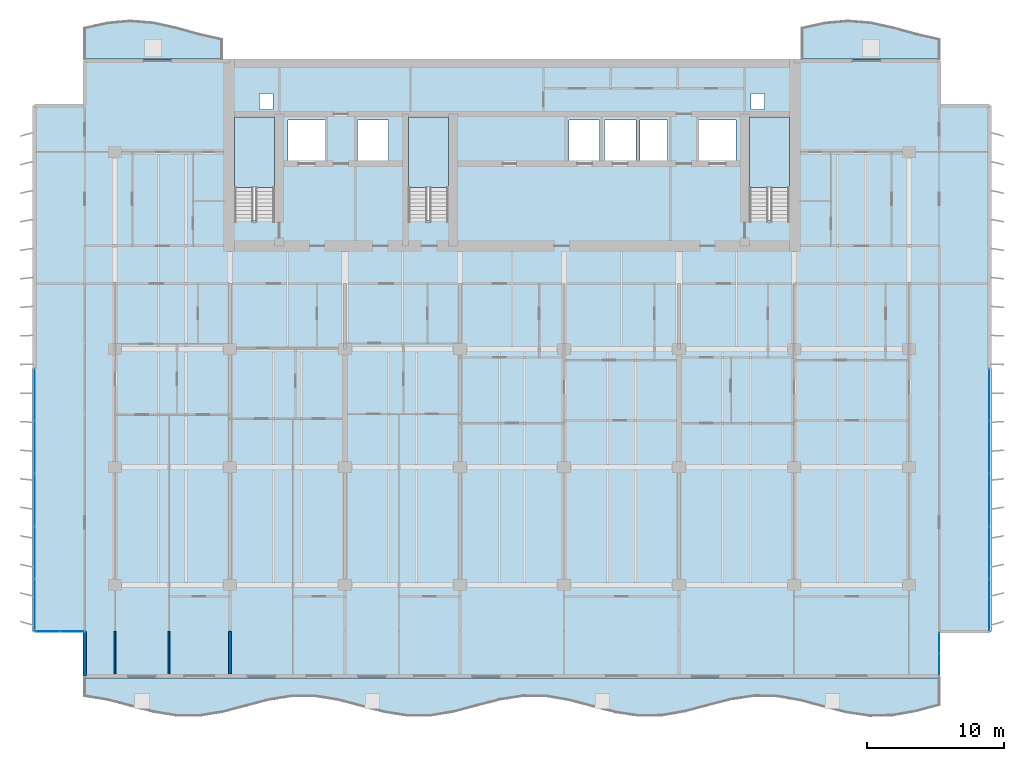
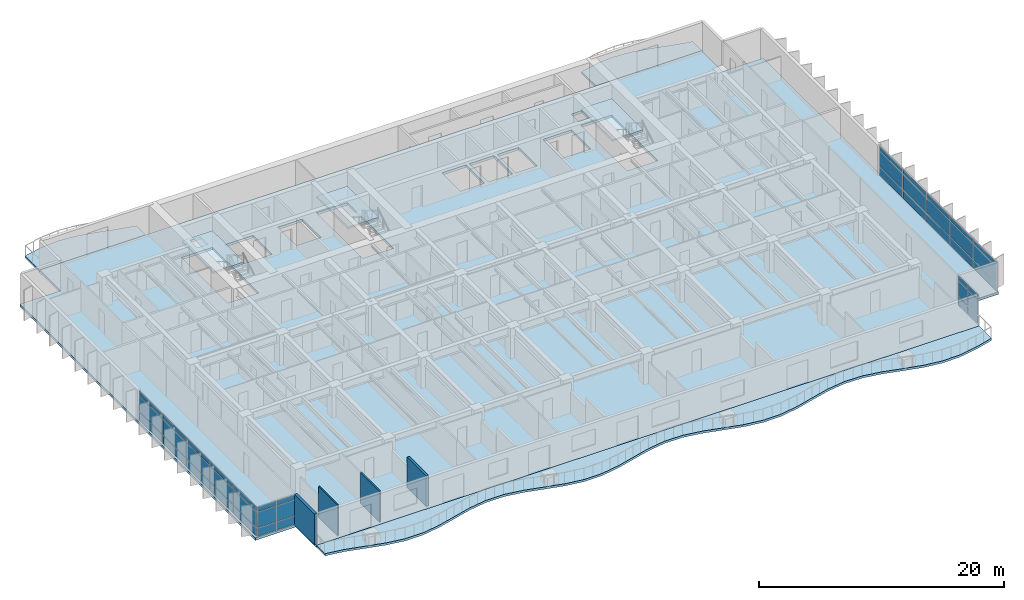
# One storey, part 5 of 16: 42 plates, 7 slabs, 4 walls, 7 elements without a shape of their own.
"""IFC4 building model written with IfcOpenShell, lengths in metres."""

from ifc_helpers import new_model, si_unit, direction, frame, frame_2d, origin, origin_2d, place, context, subcontext, project, spatial, polyline, rectangle, outline, extrude, material, layer, layer_set, type_object, element, aggregate, save


model = new_model("IFC4")

# Units and contexts
model_context = context("Model", 3, precision=1e-05, world=origin(), true_north=direction((0.0, 1.0)))
body_context = subcontext(model_context, "Body", "Model", "MODEL_VIEW")
ifc_project = project(units=[si_unit("LENGTHUNIT", "METRE"), si_unit("AREAUNIT", "SQUARE_METRE"), si_unit("VOLUMEUNIT", "CUBIC_METRE"), si_unit("PLANEANGLEUNIT", "RADIAN"), si_unit("MASSUNIT", "GRAM", prefix="KILO")], contexts=[model_context])

# Site, building, storey
site_placement = place(None, origin())
site = spatial("IfcSite", under=ifc_project, at=site_placement, CompositionType="ELEMENT")
building_placement = place(site_placement, origin())
building = spatial("IfcBuilding", under=site, at=building_placement, Name="Caelmar Bay Residences", CompositionType="ELEMENT")
storey_placement = place(building_placement, frame((0.0, 0.0, 142.199951171875)))
storey = spatial("IfcBuildingStorey", under=building, at=storey_placement, Name="L39", CompositionType="ELEMENT", Elevation=142.199951171875)

# Curtain wall, plates
ifc_material_1 = material(Name="Anodised bronze aluminium 6063-T6 and laminated glass", Category="aluminium")
ifc_layer_1 = layer(ifc_material_1, 0.179931640625)
ifc_layer_set_1 = layer_set([ifc_layer_1], Name="Anodised bronze aluminium 6063-T6 and laminated glass")
curtain_wall_type_1 = type_object("IfcCurtainWallType", Name="CW6-NTC", PredefinedType="NOTDEFINED", material=ifc_layer_set_1)
curtain_wall_1_placement = place(storey_placement, origin())
curtain_wall_1 = element("IfcCurtainWall", 1, at=curtain_wall_1_placement, inside=storey, type_object=curtain_wall_type_1, Name="CW6 curtain wall L39", PredefinedType="NOTDEFINED")
ifc_material_2 = material(Name="Bronze-tinted laminated low-E hurricane glass 28 mm", Category="glass")
ifc_layer_2 = layer(ifc_material_2, 0.028076171875)
ifc_layer_set_2 = layer_set([ifc_layer_2], Name="Bronze-tinted laminated low-E hurricane glass 28 mm")
plate_type = type_object("IfcPlateType", Name="CWP-GLZ28", PredefinedType="CURTAIN_PANEL", material=ifc_layer_set_2)
plate_1_placement = place(storey_placement, frame((4.982421875, 8.800048828125, 0.080078125), z_axis=(0.0, 0.0, 1.0), x_axis=(1.0, 0.0, 0.0)))
plate_1 = element("IfcPlate", 2, at=plate_1_placement, type_object=plate_type, Name="CW6 panel 1.1", PredefinedType="CURTAIN_PANEL", context=body_context, shape_type="SweptSolid", body=[
    extrude(rectangle(XDim=1.705078125, YDim=0.028076171875, at=origin_2d()), origin(), (0.0, 0.0, 1.0), 0.780029296875),
])
plate_2_placement = place(storey_placement, frame((4.982421875, 8.800048828125, 0.93994140625), z_axis=(0.0, 0.0, 1.0), x_axis=(1.0, 0.0, 0.0)))
plate_2 = element("IfcPlate", 3, at=plate_2_placement, type_object=plate_type, Name="CW6 panel 1.2", PredefinedType="CURTAIN_PANEL", context=body_context, shape_type="SweptSolid", body=[
    extrude(rectangle(XDim=1.705078125, YDim=0.028076171875, at=origin_2d()), origin(), (0.0, 0.0, 1.0), 1.52001953125),
])
plate_3_placement = place(storey_placement, frame((4.982421875, 8.800048828125, 2.5400390625), z_axis=(0.0, 0.0, 1.0), x_axis=(1.0, 0.0, 0.0)))
plate_3 = element("IfcPlate", 4, at=plate_3_placement, type_object=plate_type, Name="CW6 panel 1.3", PredefinedType="CURTAIN_PANEL", context=body_context, shape_type="SweptSolid", body=[
    extrude(rectangle(XDim=1.705078125, YDim=0.028076171875, at=origin_2d()), origin(), (0.0, 0.0, 1.0), 0.429931640625),
])
plate_4_placement = place(storey_placement, frame((6.767578125, 8.800048828125, 0.080078125), z_axis=(0.0, 0.0, 1.0), x_axis=(1.0, 0.0, 0.0)))
plate_4 = element("IfcPlate", 5, at=plate_4_placement, type_object=plate_type, Name="CW6 panel 2.1", PredefinedType="CURTAIN_PANEL", context=body_context, shape_type="SweptSolid", body=[
    extrude(rectangle(XDim=1.705078125, YDim=0.028076171875, at=origin_2d()), origin(), (0.0, 0.0, 1.0), 0.780029296875),
])
plate_5_placement = place(storey_placement, frame((6.767578125, 8.800048828125, 0.93994140625), z_axis=(0.0, 0.0, 1.0), x_axis=(1.0, 0.0, 0.0)))
plate_5 = element("IfcPlate", 6, at=plate_5_placement, type_object=plate_type, Name="CW6 panel 2.2", PredefinedType="CURTAIN_PANEL", context=body_context, shape_type="SweptSolid", body=[
    extrude(rectangle(XDim=1.705078125, YDim=0.028076171875, at=origin_2d()), origin(), (0.0, 0.0, 1.0), 1.52001953125),
])
plate_6_placement = place(storey_placement, frame((6.767578125, 8.800048828125, 2.5400390625), z_axis=(0.0, 0.0, 1.0), x_axis=(1.0, 0.0, 0.0)))
plate_6 = element("IfcPlate", 7, at=plate_6_placement, type_object=plate_type, Name="CW6 panel 2.3", PredefinedType="CURTAIN_PANEL", context=body_context, shape_type="SweptSolid", body=[
    extrude(rectangle(XDim=1.705078125, YDim=0.028076171875, at=origin_2d()), origin(), (0.0, 0.0, 1.0), 0.429931640625),
])
aggregate(curtain_wall_1, [plate_1, plate_2, plate_3, plate_4, plate_5, plate_6])

curtain_wall_2_placement = place(storey_placement, origin())
curtain_wall_2 = element("IfcCurtainWall", 8, at=curtain_wall_2_placement, inside=storey, type_object=curtain_wall_type_1, Name="CW6 curtain wall L39", PredefinedType="NOTDEFINED")
plate_7_placement = place(storey_placement, frame((70.10009765625, 6.382568359375, 0.080078125), z_axis=(0.0, 0.0, 1.0), x_axis=(0.0, 1.0, 0.0)))
plate_7 = element("IfcPlate", 9, at=plate_7_placement, type_object=plate_type, Name="CW6 panel 1.1", PredefinedType="CURTAIN_PANEL", context=body_context, shape_type="SweptSolid", body=[
    extrude(rectangle(XDim=1.5048828125, YDim=0.028076171875, at=origin_2d()), origin(), (0.0, 0.0, 1.0), 0.780029296875),
])
plate_8_placement = place(storey_placement, frame((70.10009765625, 6.382568359375, 0.93994140625), z_axis=(0.0, 0.0, 1.0), x_axis=(0.0, 1.0, 0.0)))
plate_8 = element("IfcPlate", 10, at=plate_8_placement, type_object=plate_type, Name="CW6 panel 1.2", PredefinedType="CURTAIN_PANEL", context=body_context, shape_type="SweptSolid", body=[
    extrude(rectangle(XDim=1.5048828125, YDim=0.028076171875, at=origin_2d()), origin(), (0.0, 0.0, 1.0), 1.52001953125),
])
plate_9_placement = place(storey_placement, frame((70.10009765625, 6.382568359375, 2.5400390625), z_axis=(0.0, 0.0, 1.0), x_axis=(0.0, 1.0, 0.0)))
plate_9 = element("IfcPlate", 11, at=plate_9_placement, type_object=plate_type, Name="CW6 panel 1.3", PredefinedType="CURTAIN_PANEL", context=body_context, shape_type="SweptSolid", body=[
    extrude(rectangle(XDim=1.5048828125, YDim=0.028076171875, at=origin_2d()), origin(), (0.0, 0.0, 1.0), 0.429931640625),
])
plate_10_placement = place(storey_placement, frame((70.10009765625, 7.967529296875, 0.080078125), z_axis=(0.0, 0.0, 1.0), x_axis=(0.0, 1.0, 0.0)))
plate_10 = element("IfcPlate", 12, at=plate_10_placement, type_object=plate_type, Name="CW6 panel 2.1", PredefinedType="CURTAIN_PANEL", context=body_context, shape_type="SweptSolid", body=[
    extrude(rectangle(XDim=1.5048828125, YDim=0.028076171875, at=origin_2d()), origin(), (0.0, 0.0, 1.0), 0.780029296875),
])
plate_11_placement = place(storey_placement, frame((70.10009765625, 7.967529296875, 0.93994140625), z_axis=(0.0, 0.0, 1.0), x_axis=(0.0, 1.0, 0.0)))
plate_11 = element("IfcPlate", 13, at=plate_11_placement, type_object=plate_type, Name="CW6 panel 2.2", PredefinedType="CURTAIN_PANEL", context=body_context, shape_type="SweptSolid", body=[
    extrude(rectangle(XDim=1.5048828125, YDim=0.028076171875, at=origin_2d()), origin(), (0.0, 0.0, 1.0), 1.52001953125),
])
plate_12_placement = place(storey_placement, frame((70.10009765625, 7.967529296875, 2.5400390625), z_axis=(0.0, 0.0, 1.0), x_axis=(0.0, 1.0, 0.0)))
plate_12 = element("IfcPlate", 14, at=plate_12_placement, type_object=plate_type, Name="CW6 panel 2.3", PredefinedType="CURTAIN_PANEL", context=body_context, shape_type="SweptSolid", body=[
    extrude(rectangle(XDim=1.5048828125, YDim=0.028076171875, at=origin_2d()), origin(), (0.0, 0.0, 1.0), 0.429931640625),
])
aggregate(curtain_wall_2, [plate_7, plate_8, plate_9, plate_10, plate_11, plate_12])

ifc_layer_3 = layer(ifc_material_1, 0.179931640625)
ifc_layer_set_3 = layer_set([ifc_layer_3], Name="Anodised bronze aluminium 6063-T6 and laminated glass")
curtain_wall_type_2 = type_object("IfcCurtainWallType", Name="CW3-Z2", PredefinedType="NOTDEFINED", material=ifc_layer_set_3)
curtain_wall_3_placement = place(storey_placement, origin())
curtain_wall_3 = element("IfcCurtainWall", 15, at=curtain_wall_3_placement, inside=storey, type_object=curtain_wall_type_2, Name="CW3 curtain wall L39", PredefinedType="NOTDEFINED")
plate_13_placement = place(storey_placement, frame((4.050048828125, 10.739990234375, 0.080078125), z_axis=(0.0, 0.0, 1.0), x_axis=(0.0, 1.0, 0.0)))
plate_13 = element("IfcPlate", 16, at=plate_13_placement, type_object=plate_type, Name="CW3 panel 1.1", PredefinedType="CURTAIN_PANEL", context=body_context, shape_type="SweptSolid", body=[
    extrude(rectangle(XDim=3.719970703125, YDim=0.028076171875, at=origin_2d()), origin(), (0.0, 0.0, 1.0), 0.780029296875),
])
plate_14_placement = place(storey_placement, frame((4.050048828125, 10.739990234375, 0.93994140625), z_axis=(0.0, 0.0, 1.0), x_axis=(0.0, 1.0, 0.0)))
plate_14 = element("IfcPlate", 17, at=plate_14_placement, type_object=plate_type, Name="CW3 panel 1.2", PredefinedType="CURTAIN_PANEL", context=body_context, shape_type="SweptSolid", body=[
    extrude(rectangle(XDim=3.719970703125, YDim=0.028076171875, at=origin_2d()), origin(), (0.0, 0.0, 1.0), 1.52001953125),
])
plate_15_placement = place(storey_placement, frame((4.050048828125, 10.739990234375, 2.5400390625), z_axis=(0.0, 0.0, 1.0), x_axis=(0.0, 1.0, 0.0)))
plate_15 = element("IfcPlate", 18, at=plate_15_placement, type_object=plate_type, Name="CW3 panel 1.3", PredefinedType="CURTAIN_PANEL", context=body_context, shape_type="SweptSolid", body=[
    extrude(rectangle(XDim=3.719970703125, YDim=0.028076171875, at=origin_2d()), origin(), (0.0, 0.0, 1.0), 0.429931640625),
])
plate_16_placement = place(storey_placement, frame((4.050048828125, 14.56005859375, 0.080078125), z_axis=(0.0, 0.0, 1.0), x_axis=(0.0, 1.0, 0.0)))
plate_16 = element("IfcPlate", 19, at=plate_16_placement, type_object=plate_type, Name="CW3 panel 2.1", PredefinedType="CURTAIN_PANEL", context=body_context, shape_type="SweptSolid", body=[
    extrude(rectangle(XDim=3.760009765625, YDim=0.028076171875, at=origin_2d()), origin(), (0.0, 0.0, 1.0), 0.780029296875),
])
plate_17_placement = place(storey_placement, frame((4.050048828125, 14.56005859375, 0.93994140625), z_axis=(0.0, 0.0, 1.0), x_axis=(0.0, 1.0, 0.0)))
plate_17 = element("IfcPlate", 20, at=plate_17_placement, type_object=plate_type, Name="CW3 panel 2.2", PredefinedType="CURTAIN_PANEL", context=body_context, shape_type="SweptSolid", body=[
    extrude(rectangle(XDim=3.760009765625, YDim=0.028076171875, at=origin_2d()), origin(), (0.0, 0.0, 1.0), 1.52001953125),
])
plate_18_placement = place(storey_placement, frame((4.050048828125, 14.56005859375, 2.5400390625), z_axis=(0.0, 0.0, 1.0), x_axis=(0.0, 1.0, 0.0)))
plate_18 = element("IfcPlate", 21, at=plate_18_placement, type_object=plate_type, Name="CW3 panel 2.3", PredefinedType="CURTAIN_PANEL", context=body_context, shape_type="SweptSolid", body=[
    extrude(rectangle(XDim=3.760009765625, YDim=0.028076171875, at=origin_2d()), origin(), (0.0, 0.0, 1.0), 0.429931640625),
])
plate_19_placement = place(storey_placement, frame((4.050048828125, 18.39990234375, 0.080078125), z_axis=(0.0, 0.0, 1.0), x_axis=(0.0, 1.0, 0.0)))
plate_19 = element("IfcPlate", 22, at=plate_19_placement, type_object=plate_type, Name="CW3 panel 3.1", PredefinedType="CURTAIN_PANEL", context=body_context, shape_type="SweptSolid", body=[
    extrude(rectangle(XDim=3.760009765625, YDim=0.028076171875, at=origin_2d()), origin(), (0.0, 0.0, 1.0), 0.780029296875),
])
plate_20_placement = place(storey_placement, frame((4.050048828125, 18.39990234375, 0.93994140625), z_axis=(0.0, 0.0, 1.0), x_axis=(0.0, 1.0, 0.0)))
plate_20 = element("IfcPlate", 23, at=plate_20_placement, type_object=plate_type, Name="CW3 panel 3.2", PredefinedType="CURTAIN_PANEL", context=body_context, shape_type="SweptSolid", body=[
    extrude(rectangle(XDim=3.760009765625, YDim=0.028076171875, at=origin_2d()), origin(), (0.0, 0.0, 1.0), 1.52001953125),
])
plate_21_placement = place(storey_placement, frame((4.050048828125, 18.39990234375, 2.5400390625), z_axis=(0.0, 0.0, 1.0), x_axis=(0.0, 1.0, 0.0)))
plate_21 = element("IfcPlate", 24, at=plate_21_placement, type_object=plate_type, Name="CW3 panel 3.3", PredefinedType="CURTAIN_PANEL", context=body_context, shape_type="SweptSolid", body=[
    extrude(rectangle(XDim=3.760009765625, YDim=0.028076171875, at=origin_2d()), origin(), (0.0, 0.0, 1.0), 0.429931640625),
])
plate_22_placement = place(storey_placement, frame((4.050048828125, 22.239990234375, 0.080078125), z_axis=(0.0, 0.0, 1.0), x_axis=(0.0, 1.0, 0.0)))
plate_22 = element("IfcPlate", 25, at=plate_22_placement, type_object=plate_type, Name="CW3 panel 4.1", PredefinedType="CURTAIN_PANEL", context=body_context, shape_type="SweptSolid", body=[
    extrude(rectangle(XDim=3.760009765625, YDim=0.028076171875, at=origin_2d()), origin(), (0.0, 0.0, 1.0), 0.780029296875),
])
plate_23_placement = place(storey_placement, frame((4.050048828125, 22.239990234375, 0.93994140625), z_axis=(0.0, 0.0, 1.0), x_axis=(0.0, 1.0, 0.0)))
plate_23 = element("IfcPlate", 26, at=plate_23_placement, type_object=plate_type, Name="CW3 panel 4.2", PredefinedType="CURTAIN_PANEL", context=body_context, shape_type="SweptSolid", body=[
    extrude(rectangle(XDim=3.760009765625, YDim=0.028076171875, at=origin_2d()), origin(), (0.0, 0.0, 1.0), 1.52001953125),
])
plate_24_placement = place(storey_placement, frame((4.050048828125, 22.239990234375, 2.5400390625), z_axis=(0.0, 0.0, 1.0), x_axis=(0.0, 1.0, 0.0)))
plate_24 = element("IfcPlate", 27, at=plate_24_placement, type_object=plate_type, Name="CW3 panel 4.3", PredefinedType="CURTAIN_PANEL", context=body_context, shape_type="SweptSolid", body=[
    extrude(rectangle(XDim=3.760009765625, YDim=0.028076171875, at=origin_2d()), origin(), (0.0, 0.0, 1.0), 0.429931640625),
])
plate_25_placement = place(storey_placement, frame((4.050048828125, 26.06005859375, 0.080078125), z_axis=(0.0, 0.0, 1.0), x_axis=(0.0, 1.0, 0.0)))
plate_25 = element("IfcPlate", 28, at=plate_25_placement, type_object=plate_type, Name="CW3 panel 5.1", PredefinedType="CURTAIN_PANEL", context=body_context, shape_type="SweptSolid", body=[
    extrude(rectangle(XDim=3.719970703125, YDim=0.028076171875, at=origin_2d()), origin(), (0.0, 0.0, 1.0), 0.780029296875),
])
plate_26_placement = place(storey_placement, frame((4.050048828125, 26.06005859375, 0.93994140625), z_axis=(0.0, 0.0, 1.0), x_axis=(0.0, 1.0, 0.0)))
plate_26 = element("IfcPlate", 29, at=plate_26_placement, type_object=plate_type, Name="CW3 panel 5.2", PredefinedType="CURTAIN_PANEL", context=body_context, shape_type="SweptSolid", body=[
    extrude(rectangle(XDim=3.719970703125, YDim=0.028076171875, at=origin_2d()), origin(), (0.0, 0.0, 1.0), 1.52001953125),
])
plate_27_placement = place(storey_placement, frame((4.050048828125, 26.06005859375, 2.5400390625), z_axis=(0.0, 0.0, 1.0), x_axis=(0.0, 1.0, 0.0)))
plate_27 = element("IfcPlate", 30, at=plate_27_placement, type_object=plate_type, Name="CW3 panel 5.3", PredefinedType="CURTAIN_PANEL", context=body_context, shape_type="SweptSolid", body=[
    extrude(rectangle(XDim=3.719970703125, YDim=0.028076171875, at=origin_2d()), origin(), (0.0, 0.0, 1.0), 0.429931640625),
])
aggregate(curtain_wall_3, [plate_13, plate_14, plate_15, plate_16, plate_17, plate_18, plate_19, plate_20, plate_21, plate_22, plate_23, plate_24, plate_25, plate_26, plate_27])

curtain_wall_4_placement = place(storey_placement, origin())
curtain_wall_4 = element("IfcCurtainWall", 31, at=curtain_wall_4_placement, inside=storey, type_object=curtain_wall_type_2, Name="CW3 curtain wall L39", PredefinedType="NOTDEFINED")
plate_28_placement = place(storey_placement, frame((73.75, 26.06005859375, 0.080078125), z_axis=(0.0, 0.0, 1.0), x_axis=(0.0, -1.0, 0.0)))
plate_28 = element("IfcPlate", 32, at=plate_28_placement, type_object=plate_type, Name="CW3 panel 1.1", PredefinedType="CURTAIN_PANEL", context=body_context, shape_type="SweptSolid", body=[
    extrude(rectangle(XDim=3.719970703125, YDim=0.028076171875, at=origin_2d()), origin(), (0.0, 0.0, 1.0), 0.780029296875),
])
plate_29_placement = place(storey_placement, frame((73.75, 26.06005859375, 0.93994140625), z_axis=(0.0, 0.0, 1.0), x_axis=(0.0, -1.0, 0.0)))
plate_29 = element("IfcPlate", 33, at=plate_29_placement, type_object=plate_type, Name="CW3 panel 1.2", PredefinedType="CURTAIN_PANEL", context=body_context, shape_type="SweptSolid", body=[
    extrude(rectangle(XDim=3.719970703125, YDim=0.028076171875, at=origin_2d()), origin(), (0.0, 0.0, 1.0), 1.52001953125),
])
plate_30_placement = place(storey_placement, frame((73.75, 26.06005859375, 2.5400390625), z_axis=(0.0, 0.0, 1.0), x_axis=(0.0, -1.0, 0.0)))
plate_30 = element("IfcPlate", 34, at=plate_30_placement, type_object=plate_type, Name="CW3 panel 1.3", PredefinedType="CURTAIN_PANEL", context=body_context, shape_type="SweptSolid", body=[
    extrude(rectangle(XDim=3.719970703125, YDim=0.028076171875, at=origin_2d()), origin(), (0.0, 0.0, 1.0), 0.429931640625),
])
plate_31_placement = place(storey_placement, frame((73.75, 22.239990234375, 0.080078125), z_axis=(0.0, 0.0, 1.0), x_axis=(0.0, -1.0, 0.0)))
plate_31 = element("IfcPlate", 35, at=plate_31_placement, type_object=plate_type, Name="CW3 panel 2.1", PredefinedType="CURTAIN_PANEL", context=body_context, shape_type="SweptSolid", body=[
    extrude(rectangle(XDim=3.760009765625, YDim=0.028076171875, at=origin_2d()), origin(), (0.0, 0.0, 1.0), 0.780029296875),
])
plate_32_placement = place(storey_placement, frame((73.75, 22.239990234375, 0.93994140625), z_axis=(0.0, 0.0, 1.0), x_axis=(0.0, -1.0, 0.0)))
plate_32 = element("IfcPlate", 36, at=plate_32_placement, type_object=plate_type, Name="CW3 panel 2.2", PredefinedType="CURTAIN_PANEL", context=body_context, shape_type="SweptSolid", body=[
    extrude(rectangle(XDim=3.760009765625, YDim=0.028076171875, at=origin_2d()), origin(), (0.0, 0.0, 1.0), 1.52001953125),
])
plate_33_placement = place(storey_placement, frame((73.75, 22.239990234375, 2.5400390625), z_axis=(0.0, 0.0, 1.0), x_axis=(0.0, -1.0, 0.0)))
plate_33 = element("IfcPlate", 37, at=plate_33_placement, type_object=plate_type, Name="CW3 panel 2.3", PredefinedType="CURTAIN_PANEL", context=body_context, shape_type="SweptSolid", body=[
    extrude(rectangle(XDim=3.760009765625, YDim=0.028076171875, at=origin_2d()), origin(), (0.0, 0.0, 1.0), 0.429931640625),
])
plate_34_placement = place(storey_placement, frame((73.75, 18.39990234375, 0.080078125), z_axis=(0.0, 0.0, 1.0), x_axis=(0.0, -1.0, 0.0)))
plate_34 = element("IfcPlate", 38, at=plate_34_placement, type_object=plate_type, Name="CW3 panel 3.1", PredefinedType="CURTAIN_PANEL", context=body_context, shape_type="SweptSolid", body=[
    extrude(rectangle(XDim=3.760009765625, YDim=0.028076171875, at=origin_2d()), origin(), (0.0, 0.0, 1.0), 0.780029296875),
])
plate_35_placement = place(storey_placement, frame((73.75, 18.39990234375, 0.93994140625), z_axis=(0.0, 0.0, 1.0), x_axis=(0.0, -1.0, 0.0)))
plate_35 = element("IfcPlate", 39, at=plate_35_placement, type_object=plate_type, Name="CW3 panel 3.2", PredefinedType="CURTAIN_PANEL", context=body_context, shape_type="SweptSolid", body=[
    extrude(rectangle(XDim=3.760009765625, YDim=0.028076171875, at=origin_2d()), origin(), (0.0, 0.0, 1.0), 1.52001953125),
])
plate_36_placement = place(storey_placement, frame((73.75, 18.39990234375, 2.5400390625), z_axis=(0.0, 0.0, 1.0), x_axis=(0.0, -1.0, 0.0)))
plate_36 = element("IfcPlate", 40, at=plate_36_placement, type_object=plate_type, Name="CW3 panel 3.3", PredefinedType="CURTAIN_PANEL", context=body_context, shape_type="SweptSolid", body=[
    extrude(rectangle(XDim=3.760009765625, YDim=0.028076171875, at=origin_2d()), origin(), (0.0, 0.0, 1.0), 0.429931640625),
])
plate_37_placement = place(storey_placement, frame((73.75, 14.56005859375, 0.080078125), z_axis=(0.0, 0.0, 1.0), x_axis=(0.0, -1.0, 0.0)))
plate_37 = element("IfcPlate", 41, at=plate_37_placement, type_object=plate_type, Name="CW3 panel 4.1", PredefinedType="CURTAIN_PANEL", context=body_context, shape_type="SweptSolid", body=[
    extrude(rectangle(XDim=3.760009765625, YDim=0.028076171875, at=origin_2d()), origin(), (0.0, 0.0, 1.0), 0.780029296875),
])
plate_38_placement = place(storey_placement, frame((73.75, 14.56005859375, 0.93994140625), z_axis=(0.0, 0.0, 1.0), x_axis=(0.0, -1.0, 0.0)))
plate_38 = element("IfcPlate", 42, at=plate_38_placement, type_object=plate_type, Name="CW3 panel 4.2", PredefinedType="CURTAIN_PANEL", context=body_context, shape_type="SweptSolid", body=[
    extrude(rectangle(XDim=3.760009765625, YDim=0.028076171875, at=origin_2d()), origin(), (0.0, 0.0, 1.0), 1.52001953125),
])
plate_39_placement = place(storey_placement, frame((73.75, 14.56005859375, 2.5400390625), z_axis=(0.0, 0.0, 1.0), x_axis=(0.0, -1.0, 0.0)))
plate_39 = element("IfcPlate", 43, at=plate_39_placement, type_object=plate_type, Name="CW3 panel 4.3", PredefinedType="CURTAIN_PANEL", context=body_context, shape_type="SweptSolid", body=[
    extrude(rectangle(XDim=3.760009765625, YDim=0.028076171875, at=origin_2d()), origin(), (0.0, 0.0, 1.0), 0.429931640625),
])
plate_40_placement = place(storey_placement, frame((73.75, 10.739990234375, 0.080078125), z_axis=(0.0, 0.0, 1.0), x_axis=(0.0, -1.0, 0.0)))
plate_40 = element("IfcPlate", 44, at=plate_40_placement, type_object=plate_type, Name="CW3 panel 5.1", PredefinedType="CURTAIN_PANEL", context=body_context, shape_type="SweptSolid", body=[
    extrude(rectangle(XDim=3.719970703125, YDim=0.028076171875, at=origin_2d()), origin(), (0.0, 0.0, 1.0), 0.780029296875),
])
plate_41_placement = place(storey_placement, frame((73.75, 10.739990234375, 0.93994140625), z_axis=(0.0, 0.0, 1.0), x_axis=(0.0, -1.0, 0.0)))
plate_41 = element("IfcPlate", 45, at=plate_41_placement, type_object=plate_type, Name="CW3 panel 5.2", PredefinedType="CURTAIN_PANEL", context=body_context, shape_type="SweptSolid", body=[
    extrude(rectangle(XDim=3.719970703125, YDim=0.028076171875, at=origin_2d()), origin(), (0.0, 0.0, 1.0), 1.52001953125),
])
plate_42_placement = place(storey_placement, frame((73.75, 10.739990234375, 2.5400390625), z_axis=(0.0, 0.0, 1.0), x_axis=(0.0, -1.0, 0.0)))
plate_42 = element("IfcPlate", 46, at=plate_42_placement, type_object=plate_type, Name="CW3 panel 5.3", PredefinedType="CURTAIN_PANEL", context=body_context, shape_type="SweptSolid", body=[
    extrude(rectangle(XDim=3.719970703125, YDim=0.028076171875, at=origin_2d()), origin(), (0.0, 0.0, 1.0), 0.429931640625),
])
aggregate(curtain_wall_4, [plate_28, plate_29, plate_30, plate_31, plate_32, plate_33, plate_34, plate_35, plate_36, plate_37, plate_38, plate_39, plate_40, plate_41, plate_42])

# Slabs
ifc_material_3 = material(Name="Concrete f'c 40 MPa (6,000 psi)", Category="concrete")
ifc_layer_4 = layer(ifc_material_3, 0.219970703125)
ifc_layer_set_4 = layer_set([ifc_layer_4], Name="Concrete f'c 40 MPa (6,000 psi)")
slab_type_1 = type_object("IfcSlabType", Name="SLB-BAL-220", PredefinedType="FLOOR", material=ifc_layer_set_4)
slab_1_placement = place(storey_placement, frame((0.0, 0.0, -0.219970703125)))
element("IfcSlab", 47, at=slab_1_placement, inside=storey, type_object=slab_type_1, Name="L39 Sinusoidal Tree-Balcony Slab south", PredefinedType="FLOOR", context=body_context, shape_type="SweptSolid", body=[
    extrude(outline(polyline([(7.699951171875, 4.01318359375), (9.386474609375, 3.739501953125), (11.072998046875, 3.29638671875), (12.759521484375, 2.854736328125), (14.44580078125, 2.58447265625), (16.13232421875, 2.589599609375), (17.81884765625, 2.867919921875), (19.50537109375, 3.312744140625), (21.19189453125, 3.75244140625), (22.87841796875, 4.018310546875), (24.56494140625, 4.007568359375), (26.25146484375, 3.724609375), (27.937744140625, 3.2783203125), (29.624267578125, 2.84033203125), (31.310791015625, 2.5791015625), (32.997314453125, 2.595703125), (34.683837890625, 2.883056640625), (36.370361328125, 3.330810546875), (38.056884765625, 3.766845703125), (39.7431640625, 4.023193359375), (41.4296875, 4.001220703125), (43.1162109375, 3.70947265625), (44.802734375, 3.260009765625), (46.4892578125, 2.825927734375), (48.17578125, 2.574462890625), (49.8623046875, 2.60205078125), (51.548583984375, 2.898193359375), (53.235107421875, 3.34912109375), (54.921630859375, 3.781005859375), (56.608154296875, 4.02783203125), (58.294677734375, 3.99462890625), (59.981201171875, 3.694091796875), (61.66748046875, 3.24169921875), (63.35400390625, 2.81201171875), (65.04052734375, 2.570068359375), (66.72705078125, 2.60888671875), (68.41357421875, 2.913818359375), (70.10009765625, 3.3671875), (70.10009765625, 5.39990234375), (7.699951171875, 5.39990234375), (7.699951171875, 4.01318359375)])), origin(), (0.0, 0.0, 1.0), 0.219970703125),
])
slab_2_placement = place(storey_placement, frame((0.0, 0.0, -0.219970703125)))
element("IfcSlab", 48, at=slab_2_placement, inside=storey, type_object=slab_type_1, Name="L39 Sinusoidal Tree-Balcony Slab north_west", PredefinedType="FLOOR", context=body_context, shape_type="SweptSolid", body=[
    extrude(outline(polyline([(7.699951171875, 50.60009765625), (17.699951171875, 50.60009765625), (17.699951171875, 52.106689453125), (16.033203125, 52.486083984375), (14.36669921875, 52.94580078125), (12.699951171875, 53.313232421875), (11.033203125, 53.449951171875), (9.36669921875, 53.3046875), (7.699951171875, 52.931884765625), (7.699951171875, 50.60009765625)])), origin(), (0.0, 0.0, 1.0), 0.219970703125),
])
slab_3_placement = place(storey_placement, frame((0.0, 0.0, -0.219970703125)))
element("IfcSlab", 49, at=slab_3_placement, inside=storey, type_object=slab_type_1, Name="L39 Sinusoidal Tree-Balcony Slab north_east", PredefinedType="FLOOR", context=body_context, shape_type="SweptSolid", body=[
    extrude(outline(polyline([(60.10009765625, 50.60009765625), (70.10009765625, 50.60009765625), (70.10009765625, 52.106689453125), (68.433349609375, 52.486083984375), (66.7666015625, 52.94580078125), (65.10009765625, 53.313232421875), (63.433349609375, 53.449951171875), (61.7666015625, 53.3046875), (60.10009765625, 52.931884765625), (60.10009765625, 50.60009765625)])), origin(), (0.0, 0.0, 1.0), 0.219970703125),
])

# Stair, slab
stair_type = type_object("IfcStairType", Name="ST-TYP-165", PredefinedType="HALF_TURN_STAIR", material=ifc_material_3)
stair_1_placement = place(storey_placement, origin())
stair_1 = element("IfcStair", 50, at=stair_1_placement, inside=storey, type_object=stair_type, Name="L39 West Smokeproof Exit Stair ST1", PredefinedType="HALF_TURN_STAIR")
ifc_layer_5 = layer(ifc_material_3, 0.199951171875)
ifc_layer_set_5 = layer_set([ifc_layer_5], Name="Concrete f'c 40 MPa (6,000 psi)")
slab_type_2 = type_object("IfcSlabType", Name="SLB-LND-200", PredefinedType="LANDING", material=ifc_layer_set_5)
slab_4_placement = place(storey_placement, frame((0.0, 0.0, 1.449951171875)))
slab_4 = element("IfcSlab", 51, at=slab_4_placement, type_object=slab_type_2, Name="ST1 landing 1", PredefinedType="LANDING", context=body_context, shape_type="SweptSolid", body=[
    extrude(outline(polyline([(21.550048828125, 41.219970703125), (21.550048828125, 46.35009765625), (18.64990234375, 46.35009765625), (18.64990234375, 41.219970703125), (21.550048828125, 41.219970703125)])), origin(), (0.0, 0.0, 1.0), 0.2001953125),
])
aggregate(stair_1, [slab_4])

stair_2_placement = place(storey_placement, origin())
stair_2 = element("IfcStair", 52, at=stair_2_placement, inside=storey, type_object=stair_type, Name="L39 East Smokeproof Exit Stair ST2", PredefinedType="HALF_TURN_STAIR")
slab_5_placement = place(storey_placement, frame((0.0, 0.0, 1.449951171875)))
slab_5 = element("IfcSlab", 53, at=slab_5_placement, type_object=slab_type_2, Name="ST2 landing 1", PredefinedType="LANDING", context=body_context, shape_type="SweptSolid", body=[
    extrude(outline(polyline([(59.14990234375, 41.219970703125), (59.14990234375, 46.35009765625), (56.25, 46.35009765625), (56.25, 41.219970703125), (59.14990234375, 41.219970703125)])), origin(), (0.0, 0.0, 1.0), 0.2001953125),
])
aggregate(stair_2, [slab_5])

stair_3_placement = place(storey_placement, origin())
stair_3 = element("IfcStair", 54, at=stair_3_placement, inside=storey, type_object=stair_type, Name="L39 Central Smokeproof Exit Stair ST3", PredefinedType="HALF_TURN_STAIR")
slab_6_placement = place(storey_placement, frame((0.0, 0.0, 1.449951171875)))
slab_6 = element("IfcSlab", 55, at=slab_6_placement, type_object=slab_type_2, Name="ST3 landing 1", PredefinedType="LANDING", context=body_context, shape_type="SweptSolid", body=[
    extrude(outline(polyline([(34.25, 41.219970703125), (34.25, 46.35009765625), (31.35009765625, 46.35009765625), (31.35009765625, 41.219970703125), (34.25, 41.219970703125)])), origin(), (0.0, 0.0, 1.0), 0.2001953125),
])
aggregate(stair_3, [slab_6])

# Slab
ifc_layer_6 = layer(ifc_material_3, 0.25)
ifc_layer_set_6 = layer_set([ifc_layer_6], Name="Concrete f'c 40 MPa (6,000 psi)")
slab_type_3 = type_object("IfcSlabType", Name="SLB-RES-250", PredefinedType="FLOOR", material=ifc_layer_set_6)
slab_7_placement = place(storey_placement, frame((0.0, 0.0, -0.25)))
element("IfcSlab", 56, at=slab_7_placement, inside=storey, type_object=slab_type_3, Name="L39 Structural Floor Slab", PredefinedType="FLOOR", context=body_context, shape_type="SweptSolid", body=[
    extrude(outline(polyline([(7.699951171875, 5.39990234375), (70.10009765625, 5.39990234375), (70.10009765625, 8.800048828125), (73.89990234375, 8.800048828125), (73.89990234375, 47.199951171875), (70.10009765625, 47.199951171875), (70.10009765625, 50.60009765625), (7.699951171875, 50.60009765625), (7.699951171875, 47.199951171875), (3.89990234375, 47.199951171875), (3.89990234375, 8.800048828125), (7.699951171875, 8.800048828125), (7.699951171875, 5.39990234375)]), holes=[polyline([(18.64990234375, 38.85009765625), (21.550048828125, 38.85009765625), (21.550048828125, 46.35009765625), (18.64990234375, 46.35009765625), (18.64990234375, 38.85009765625)]), polyline([(56.25, 38.85009765625), (59.14990234375, 38.85009765625), (59.14990234375, 46.35009765625), (56.25, 46.35009765625), (56.25, 38.85009765625)]), polyline([(31.35009765625, 38.85009765625), (34.25, 38.85009765625), (34.25, 46.35009765625), (31.35009765625, 46.35009765625), (31.35009765625, 38.85009765625)]), polyline([(22.550048828125, 43.050048828125), (25.25, 43.050048828125), (25.25, 46.14990234375), (22.550048828125, 46.14990234375), (22.550048828125, 43.050048828125)]), polyline([(52.550048828125, 43.050048828125), (55.25, 43.050048828125), (55.25, 46.14990234375), (52.550048828125, 46.14990234375), (52.550048828125, 43.050048828125)]), polyline([(43.050048828125, 43.14990234375), (45.300048828125, 43.14990234375), (45.300048828125, 46.14990234375), (43.050048828125, 46.14990234375), (43.050048828125, 43.14990234375)]), polyline([(45.64990234375, 43.14990234375), (47.949951171875, 43.14990234375), (47.949951171875, 46.14990234375), (45.64990234375, 46.14990234375), (45.64990234375, 43.14990234375)]), polyline([(48.25, 43.14990234375), (50.25, 43.14990234375), (50.25, 46.14990234375), (48.25, 46.14990234375), (48.25, 43.14990234375)]), polyline([(27.60009765625, 43.14990234375), (29.89990234375, 43.14990234375), (29.89990234375, 46.14990234375), (27.60009765625, 46.14990234375), (27.60009765625, 43.14990234375)]), polyline([(20.449951171875, 46.89990234375), (21.449951171875, 46.89990234375), (21.449951171875, 48.10009765625), (20.449951171875, 48.10009765625), (20.449951171875, 46.89990234375)]), polyline([(56.35009765625, 46.89990234375), (57.35009765625, 46.89990234375), (57.35009765625, 48.10009765625), (56.35009765625, 48.10009765625), (56.35009765625, 46.89990234375)])]), origin(), (0.0, 0.0, 1.0), 0.25),
])

# Walls
ifc_material_4 = material(Name="Precast concrete f'c 40 MPa (6,000 psi)", Category="concrete")
ifc_layer_7 = layer(ifc_material_4, 0.25)
ifc_layer_set_7 = layer_set([ifc_layer_7], Name="Precast concrete f'c 40 MPa (6,000 psi)")
wall_type_1 = type_object("IfcWallType", Name="W-EXT-250", PredefinedType="ELEMENTEDWALL", material=ifc_layer_set_7)
wall_1_placement = place(storey_placement, frame((7.699951171875, 8.800048828125, 0.0), z_axis=(0.0, 0.0, 1.0), x_axis=(0.0, -1.0, 0.0)))
element("IfcWall", 57, at=wall_1_placement, inside=storey, type_object=wall_type_1, Name="L39 SW Notch Return Wall", PredefinedType="ELEMENTEDWALL", context=body_context, shape_type="SweptSolid", body=[
    extrude(rectangle(XDim=3.25, YDim=0.25, at=frame_2d((1.625, 0.0))), origin(), (0.0, 0.0, 1.0), 3.050048828125),
])
ifc_material_5 = material(Name="Acoustic metal-stud gypsum partition 120 mm")
ifc_layer_8 = layer(ifc_material_5, 0.1201171875)
ifc_layer_set_8 = layer_set([ifc_layer_8], Name="Acoustic metal-stud gypsum partition 120 mm")
wall_type_2 = type_object("IfcWallType", Name="W-PRT-120", PredefinedType="PARTITIONING", material=ifc_layer_set_8)
for number, where, z_axis, x_axis, name in (
    (58, (9.89990234375, 5.695068359375, 0.0), (0.0, 0.0, 1.0), (0.0, 1.0, 0.0), "L39 Partition Wall V007"),
    (59, (13.847900390625, 5.695068359375, 0.0), (0.0, 0.0, 1.0), (0.0, 1.0, 0.0), "L39 Partition Wall V012"),
):
    element("IfcWall", number, at=place(storey_placement, frame(where, z_axis=z_axis, x_axis=x_axis)), inside=storey, type_object=wall_type_2, Name=name, PredefinedType="PARTITIONING", context=body_context, shape_type="SweptSolid", body=[
        extrude(rectangle(XDim=3.10498046875, YDim=0.1201171875, at=frame_2d((1.552490234375, 0.0))), origin(), (0.0, 0.0, 1.0), 3.050048828125),
    ])
ifc_material_6 = material(Name="Acoustic twin-stud fire-rated inter-tenancy partition 200 mm")
ifc_layer_9 = layer(ifc_material_6, 0.199951171875)
ifc_layer_set_9 = layer_set([ifc_layer_9], Name="Acoustic twin-stud fire-rated inter-tenancy partition 200 mm")
wall_type_3 = type_object("IfcWallType", Name="W-PTY-200", PredefinedType="PARTITIONING", material=ifc_layer_set_9)
wall_2_placement = place(storey_placement, frame((18.300048828125, 5.695068359375, 0.0), z_axis=(0.0, 0.0, 1.0), x_axis=(0.0, 1.0, 0.0)))
element("IfcWall", 60, at=wall_2_placement, inside=storey, type_object=wall_type_3, Name="L39 Partition Wall V017", PredefinedType="PARTITIONING", context=body_context, shape_type="SweptSolid", body=[
    extrude(rectangle(XDim=3.10498046875, YDim=0.199951171875, at=frame_2d((1.552490234375, 0.0))), origin(), (0.0, 0.0, 1.0), 3.050048828125),
])

save(model, "model.ifc")
